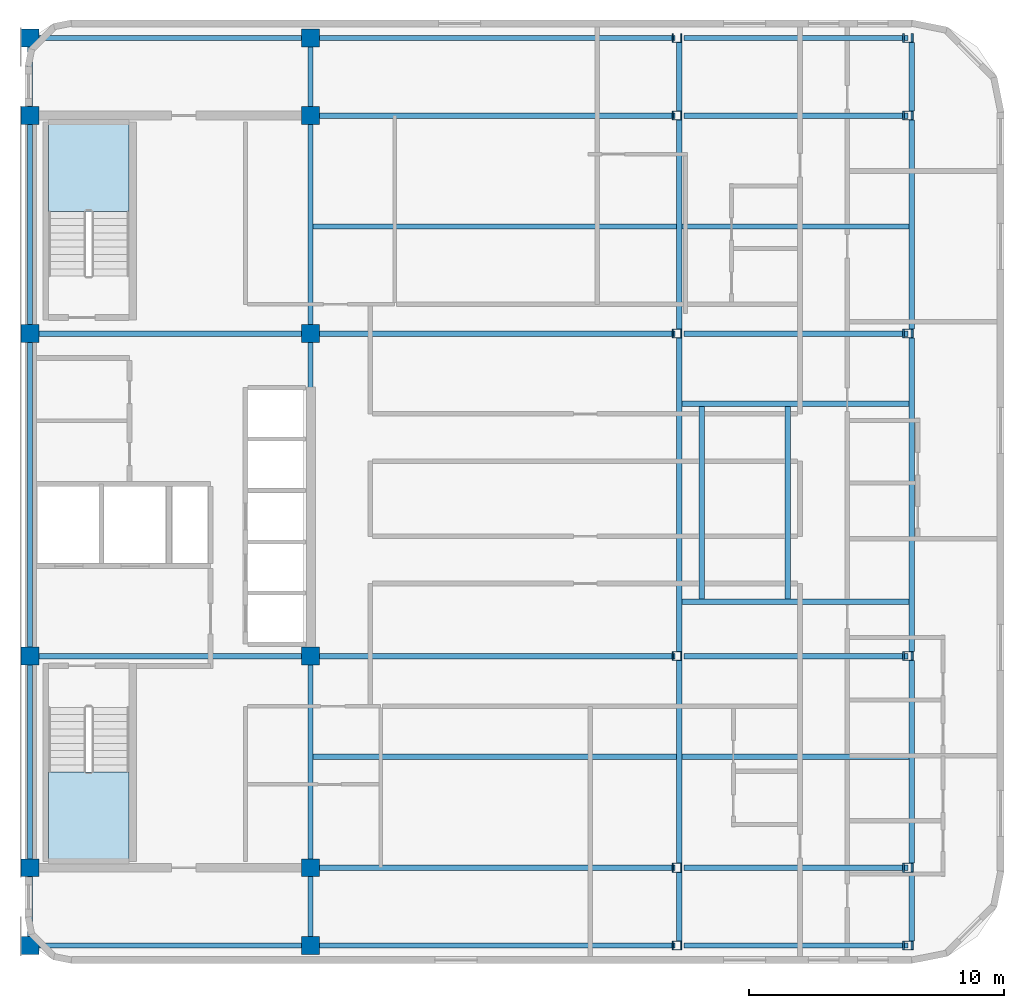
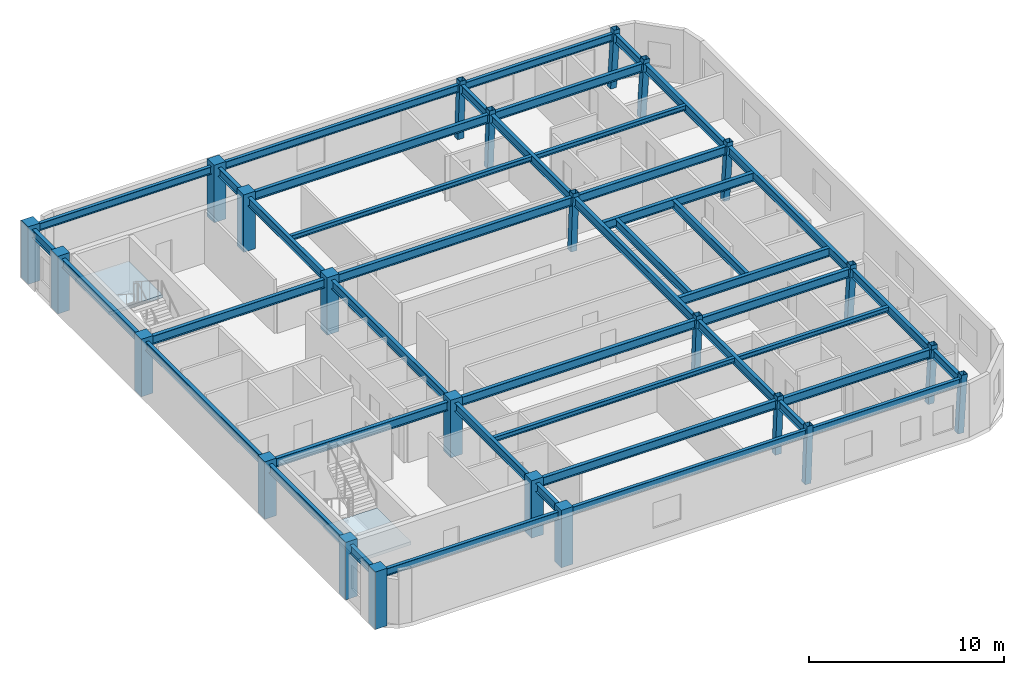
# One storey, part 1 of 6: 44 beams, 24 columns, 2 slabs, 2 elements without a shape of their own.
"""IFC4 building model written with IfcOpenShell, lengths in metres."""

from ifc_helpers import new_model, si_unit, direction, frame, origin, origin_2d, place, context, subcontext, project, spatial, polyline, rectangle, hollow_rectangle, i_section, outline, extrude, material, layer, layer_set, material_profile, profile_set, type_object, element, aggregate, save


model = new_model("IFC4")

# Units and contexts
model_context = context("Model", 3, precision=1e-05, world=origin(), true_north=direction((0.0, 1.0)))
body_context = subcontext(model_context, "Body", "Model", "MODEL_VIEW")
ifc_project = project(units=[si_unit("LENGTHUNIT", "METRE"), si_unit("AREAUNIT", "SQUARE_METRE"), si_unit("VOLUMEUNIT", "CUBIC_METRE"), si_unit("PLANEANGLEUNIT", "RADIAN"), si_unit("MASSUNIT", "GRAM", prefix="KILO")], contexts=[model_context])

# Site, building, storey
site_placement = place(None, origin())
site = spatial("IfcSite", under=ifc_project, at=site_placement, CompositionType="ELEMENT")
building_placement = place(site_placement, origin())
building = spatial("IfcBuilding", under=site, at=building_placement, Name="Ochreholt Gables", CompositionType="ELEMENT")
storey_placement = place(building_placement, frame((0.0, 0.0, 274.800048828125)))
storey = spatial("IfcBuildingStorey", under=building, at=storey_placement, Name="L72", CompositionType="ELEMENT", Elevation=274.800048828125)

# Columns
ifc_material_1 = material(Name="Steel CSA G40.21 350W", Category="steel")
ifc_material_profile_1 = material_profile(ifc_material_1, hollow_rectangle(XDim=0.35595703125, YDim=0.35595703125, WallThickness=0.01611328125, at=origin_2d()), Name="HSS356X356X16")
ifc_profile_set_1 = profile_set([ifc_material_profile_1], Name="Steel CSA G40.21 350W")
column_type_1 = type_object("IfcColumnType", Name="COL-HSS356-RAK", PredefinedType="COLUMN", material=ifc_profile_set_1)
for number, where, z_axis, x_axis, name in (
    (1, (49.553955078125, 9.25, 0.0), (0.034973505036, 0.0, 0.999388239847), (0.0, 1.0, 0.0), "L72 Column EMY2"),
    (2, (49.553955078125, 17.550048828125, 0.0), (0.034973505036, 0.0, 0.999388239847), (0.0, 1.0, 0.0), "L72 Column EMY3"),
    (3, (49.553955078125, 30.199951171875, 0.0), (0.034973505036, 0.0, 0.999388239847), (0.0, 1.0, 0.0), "L72 Column EMY4"),
    (4, (49.553955078125, 38.75, 0.0), (0.034973505036, 0.0, 0.999388239847), (0.0, 1.0, 0.0), "L72 Column EMY5"),
):
    element("IfcColumn", number, at=place(storey_placement, frame(where, z_axis=z_axis, x_axis=x_axis)), inside=storey, type_object=column_type_1, Name=name, PredefinedType="COLUMN", context=body_context, shape_type="SweptSolid", body=[
        extrude(hollow_rectangle(XDim=0.35595703125, YDim=0.35595703125, WallThickness=0.01611328125, at=origin_2d()), origin(), (0.0, 0.0, 1.0), 3.60205078125),
    ])
ifc_material_profile_2 = material_profile(ifc_material_1, hollow_rectangle(XDim=0.35595703125, YDim=0.35595703125, WallThickness=0.01611328125, at=origin_2d()), Name="HSS356X356X16")
ifc_profile_set_2 = profile_set([ifc_material_profile_2], Name="Steel CSA G40.21 350W")
column_type_2 = type_object("IfcColumnType", Name="COL-HSS356-RAKE", PredefinedType="COLUMN", material=ifc_profile_set_2)
for number, where, z_axis, x_axis, name in (
    (5, (49.553955078125, 6.199951171875, 0.0), (0.034973505036, 0.0, 0.999388239847), (0.0, 1.0, 0.0), "L72 Column EMY1"),
    (6, (49.553955078125, 41.800048828125, 0.0), (0.034973505036, 0.0, 0.999388239847), (0.0, 1.0, 0.0), "L72 Column EMY6"),
):
    element("IfcColumn", number, at=place(storey_placement, frame(where, z_axis=z_axis, x_axis=x_axis)), inside=storey, type_object=column_type_2, Name=name, PredefinedType="COLUMN", context=body_context, shape_type="SweptSolid", body=[
        extrude(hollow_rectangle(XDim=0.35595703125, YDim=0.35595703125, WallThickness=0.01611328125, at=origin_2d()), origin(), (0.0, 0.0, 1.0), 3.60205078125),
    ])
for number, where, z_axis, x_axis, name in (
    (7, (58.59521484375, 6.199951171875, 0.0), (0.057888518877, 0.0, 0.998323053617), (0.0, 1.0, 0.0), "L72 Column EEY1"),
    (8, (58.59521484375, 9.25, 0.0), (0.057888518877, 0.0, 0.998323053617), (0.0, 1.0, 0.0), "L72 Column EEY2"),
    (9, (58.59521484375, 17.550048828125, 0.0), (0.057888518877, 0.0, 0.998323053617), (0.0, 1.0, 0.0), "L72 Column EEY3"),
    (10, (58.59521484375, 30.199951171875, 0.0), (0.057888518877, 0.0, 0.998323053617), (0.0, 1.0, 0.0), "L72 Column EEY4"),
    (11, (58.59521484375, 38.75, 0.0), (0.057888518877, 0.0, 0.998323053617), (0.0, 1.0, 0.0), "L72 Column EEY5"),
    (12, (58.59521484375, 41.800048828125, 0.0), (0.057888518877, 0.0, 0.998323053617), (0.0, 1.0, 0.0), "L72 Column EEY6"),
):
    element("IfcColumn", number, at=place(storey_placement, frame(where, z_axis=z_axis, x_axis=x_axis)), inside=storey, type_object=column_type_2, Name=name, PredefinedType="COLUMN", context=body_context, shape_type="SweptSolid", body=[
        extrude(hollow_rectangle(XDim=0.35595703125, YDim=0.35595703125, WallThickness=0.01611328125, at=origin_2d()), origin(), (0.0, 0.0, 1.0), 3.60595703125),
    ])
ifc_material_2 = material(Name="Concrete 50 MPa", Category="concrete")
ifc_material_profile_3 = material_profile(ifc_material_2, rectangle(XDim=0.699951171875, YDim=0.699951171875, at=origin_2d()), Name="RC700X700")
ifc_profile_set_3 = profile_set([ifc_material_profile_3], Name="Concrete 50 MPa")
column_type_3 = type_object("IfcColumnType", Name="COL-RC700-EXT", PredefinedType="COLUMN", material=ifc_profile_set_3)
for number, where, z_axis, x_axis, name in (
    (13, (24.199951171875, 6.199951171875, 0.0), (0.0, 0.0, 1.0), (1.0, 0.0, 0.0), "L72 Column C1Y1"),
    (14, (24.199951171875, 9.25, 0.0), (0.0, 0.0, 1.0), (1.0, 0.0, 0.0), "L72 Column C1Y2"),
    (15, (24.199951171875, 17.550048828125, 0.0), (0.0, 0.0, 1.0), (1.0, 0.0, 0.0), "L72 Column C1Y3"),
    (16, (24.199951171875, 30.199951171875, 0.0), (0.0, 0.0, 1.0), (1.0, 0.0, 0.0), "L72 Column C1Y4"),
    (17, (24.199951171875, 38.75, 0.0), (0.0, 0.0, 1.0), (1.0, 0.0, 0.0), "L72 Column C1Y5"),
    (18, (24.199951171875, 41.800048828125, 0.0), (0.0, 0.0, 1.0), (1.0, 0.0, 0.0), "L72 Column C1Y6"),
    (19, (35.199951171875, 6.199951171875, 0.0), (0.0, 0.0, 1.0), (1.0, 0.0, 0.0), "L72 Column C2Y1"),
    (20, (35.199951171875, 41.800048828125, 0.0), (0.0, 0.0, 1.0), (1.0, 0.0, 0.0), "L72 Column C2Y6"),
):
    element("IfcColumn", number, at=place(storey_placement, frame(where, z_axis=z_axis, x_axis=x_axis)), inside=storey, type_object=column_type_3, Name=name, PredefinedType="COLUMN", context=body_context, shape_type="SweptSolid", body=[
        extrude(rectangle(XDim=0.699951171875, YDim=0.699951171875, at=origin_2d()), origin(), (0.0, 0.0, 1.0), 3.599853515625),
    ])
ifc_material_profile_4 = material_profile(ifc_material_2, rectangle(XDim=0.699951171875, YDim=0.699951171875, at=origin_2d()), Name="RC700X700")
ifc_profile_set_4 = profile_set([ifc_material_profile_4], Name="Concrete 50 MPa")
column_type_4 = type_object("IfcColumnType", Name="COL-RC700-INT", PredefinedType="COLUMN", material=ifc_profile_set_4)
for number, where, z_axis, x_axis, name in (
    (21, (35.199951171875, 9.25, 0.0), (0.0, 0.0, 1.0), (1.0, 0.0, 0.0), "L72 Column C2Y2"),
    (22, (35.199951171875, 17.550048828125, 0.0), (0.0, 0.0, 1.0), (1.0, 0.0, 0.0), "L72 Column C2Y3"),
    (23, (35.199951171875, 30.199951171875, 0.0), (0.0, 0.0, 1.0), (1.0, 0.0, 0.0), "L72 Column C2Y4"),
    (24, (35.199951171875, 38.75, 0.0), (0.0, 0.0, 1.0), (1.0, 0.0, 0.0), "L72 Column C2Y5"),
):
    element("IfcColumn", number, at=place(storey_placement, frame(where, z_axis=z_axis, x_axis=x_axis)), inside=storey, type_object=column_type_4, Name=name, PredefinedType="COLUMN", context=body_context, shape_type="SweptSolid", body=[
        extrude(rectangle(XDim=0.699951171875, YDim=0.699951171875, at=origin_2d()), origin(), (0.0, 0.0, 1.0), 3.599853515625),
    ])

# Beams
ifc_material_profile_5 = material_profile(ifc_material_1, i_section(OverallWidth=0.2109375, OverallDepth=0.5390625, WebThickness=0.01171875, FlangeThickness=0.018798828125, at=origin_2d()), Name="W530X109")
ifc_profile_set_5 = profile_set([ifc_material_profile_5], Name="Steel CSA G40.21 350W")
beam_type_1 = type_object("IfcBeamType", Name="BM-G-W530A", PredefinedType="BEAM", material=ifc_profile_set_5)
beam_1_placement = place(storey_placement, frame((35.549560546875, 9.25, 3.09033203125), z_axis=(1.0, 0.0, 0.0), x_axis=(0.0, 1.0, 0.0)))
element("IfcBeam", 25, at=beam_1_placement, inside=storey, type_object=beam_type_1, Name="L72 Beam TBG-L72-C2EM-Y2", PredefinedType="BEAM", context=body_context, shape_type="SweptSolid", body=[
    extrude(i_section(OverallWidth=0.2109375, OverallDepth=0.5390625, WebThickness=0.01171875, FlangeThickness=0.018798828125, at=origin_2d()), origin(), (0.0, 0.0, 1.0), 13.952880859375),
])
beam_2_placement = place(storey_placement, frame((49.857666015625, 9.25, 3.09033203125), z_axis=(1.0, 0.0, 0.0), x_axis=(0.0, 1.0, 0.0)))
element("IfcBeam", 26, at=beam_2_placement, inside=storey, type_object=beam_type_1, Name="L72 Beam TBG-L72-EMEE-Y2", PredefinedType="BEAM", context=body_context, shape_type="SweptSolid", body=[
    extrude(i_section(OverallWidth=0.2109375, OverallDepth=0.5390625, WebThickness=0.01171875, FlangeThickness=0.018798828125, at=origin_2d()), origin(), (0.0, 0.0, 1.0), 8.768798828125),
])
beam_3_placement = place(storey_placement, frame((24.549560546875, 17.550048828125, 3.09033203125), z_axis=(1.0, 0.0, 0.0), x_axis=(0.0, 1.0, 0.0)))
element("IfcBeam", 27, at=beam_3_placement, inside=storey, type_object=beam_type_1, Name="L72 Beam TBG-L72-C1C2-Y3", PredefinedType="BEAM", context=body_context, shape_type="SweptSolid", body=[
    extrude(i_section(OverallWidth=0.2109375, OverallDepth=0.5390625, WebThickness=0.01171875, FlangeThickness=0.018798828125, at=origin_2d()), origin(), (0.0, 0.0, 1.0), 10.30078125),
])
beam_4_placement = place(storey_placement, frame((35.549560546875, 17.550048828125, 3.09033203125), z_axis=(1.0, 0.0, 0.0), x_axis=(0.0, 1.0, 0.0)))
element("IfcBeam", 28, at=beam_4_placement, inside=storey, type_object=beam_type_1, Name="L72 Beam TBG-L72-C2EM-Y3", PredefinedType="BEAM", context=body_context, shape_type="SweptSolid", body=[
    extrude(i_section(OverallWidth=0.2109375, OverallDepth=0.5390625, WebThickness=0.01171875, FlangeThickness=0.018798828125, at=origin_2d()), origin(), (0.0, 0.0, 1.0), 13.952880859375),
])
beam_5_placement = place(storey_placement, frame((49.857666015625, 17.550048828125, 3.09033203125), z_axis=(1.0, 0.0, 0.0), x_axis=(0.0, 1.0, 0.0)))
element("IfcBeam", 29, at=beam_5_placement, inside=storey, type_object=beam_type_1, Name="L72 Beam TBG-L72-EMEE-Y3", PredefinedType="BEAM", context=body_context, shape_type="SweptSolid", body=[
    extrude(i_section(OverallWidth=0.2109375, OverallDepth=0.5390625, WebThickness=0.01171875, FlangeThickness=0.018798828125, at=origin_2d()), origin(), (0.0, 0.0, 1.0), 8.768798828125),
])
beam_6_placement = place(storey_placement, frame((24.549560546875, 30.199951171875, 3.09033203125), z_axis=(1.0, 0.0, 0.0), x_axis=(0.0, 1.0, 0.0)))
element("IfcBeam", 30, at=beam_6_placement, inside=storey, type_object=beam_type_1, Name="L72 Beam TBG-L72-C1C2-Y4", PredefinedType="BEAM", context=body_context, shape_type="SweptSolid", body=[
    extrude(i_section(OverallWidth=0.2109375, OverallDepth=0.5390625, WebThickness=0.01171875, FlangeThickness=0.018798828125, at=origin_2d()), origin(), (0.0, 0.0, 1.0), 10.30078125),
])
beam_7_placement = place(storey_placement, frame((35.549560546875, 30.199951171875, 3.09033203125), z_axis=(1.0, 0.0, 0.0), x_axis=(0.0, 1.0, 0.0)))
element("IfcBeam", 31, at=beam_7_placement, inside=storey, type_object=beam_type_1, Name="L72 Beam TBG-L72-C2EM-Y4", PredefinedType="BEAM", context=body_context, shape_type="SweptSolid", body=[
    extrude(i_section(OverallWidth=0.2109375, OverallDepth=0.5390625, WebThickness=0.01171875, FlangeThickness=0.018798828125, at=origin_2d()), origin(), (0.0, 0.0, 1.0), 13.952880859375),
])
beam_8_placement = place(storey_placement, frame((49.857666015625, 30.199951171875, 3.09033203125), z_axis=(1.0, 0.0, 0.0), x_axis=(0.0, 1.0, 0.0)))
element("IfcBeam", 32, at=beam_8_placement, inside=storey, type_object=beam_type_1, Name="L72 Beam TBG-L72-EMEE-Y4", PredefinedType="BEAM", context=body_context, shape_type="SweptSolid", body=[
    extrude(i_section(OverallWidth=0.2109375, OverallDepth=0.5390625, WebThickness=0.01171875, FlangeThickness=0.018798828125, at=origin_2d()), origin(), (0.0, 0.0, 1.0), 8.768798828125),
])
beam_9_placement = place(storey_placement, frame((35.549560546875, 38.75, 3.09033203125), z_axis=(1.0, 0.0, 0.0), x_axis=(0.0, 1.0, 0.0)))
element("IfcBeam", 33, at=beam_9_placement, inside=storey, type_object=beam_type_1, Name="L72 Beam TBG-L72-C2EM-Y5", PredefinedType="BEAM", context=body_context, shape_type="SweptSolid", body=[
    extrude(i_section(OverallWidth=0.2109375, OverallDepth=0.5390625, WebThickness=0.01171875, FlangeThickness=0.018798828125, at=origin_2d()), origin(), (0.0, 0.0, 1.0), 13.952880859375),
])
beam_10_placement = place(storey_placement, frame((49.857666015625, 38.75, 3.09033203125), z_axis=(1.0, 0.0, 0.0), x_axis=(0.0, 1.0, 0.0)))
element("IfcBeam", 34, at=beam_10_placement, inside=storey, type_object=beam_type_1, Name="L72 Beam TBG-L72-EMEE-Y5", PredefinedType="BEAM", context=body_context, shape_type="SweptSolid", body=[
    extrude(i_section(OverallWidth=0.2109375, OverallDepth=0.5390625, WebThickness=0.01171875, FlangeThickness=0.018798828125, at=origin_2d()), origin(), (0.0, 0.0, 1.0), 8.768798828125),
])
beam_11_placement = place(storey_placement, frame((24.199951171875, 6.549560546875, 3.09033203125), z_axis=(0.0, 1.0, 0.0), x_axis=(-1.0, 0.0, 0.0)))
element("IfcBeam", 35, at=beam_11_placement, inside=storey, type_object=beam_type_1, Name="L72 Beam TBN-L72-C1-Y1Y2", PredefinedType="BEAM", context=body_context, shape_type="SweptSolid", body=[
    extrude(i_section(OverallWidth=0.2109375, OverallDepth=0.5390625, WebThickness=0.01171875, FlangeThickness=0.018798828125, at=origin_2d()), origin(), (0.0, 0.0, 1.0), 2.350830078125),
])
beam_12_placement = place(storey_placement, frame((24.199951171875, 9.599609375, 3.09033203125), z_axis=(0.0, 1.0, 0.0), x_axis=(-1.0, 0.0, 0.0)))
element("IfcBeam", 36, at=beam_12_placement, inside=storey, type_object=beam_type_1, Name="L72 Beam TBN-L72-C1-Y2Y3", PredefinedType="BEAM", context=body_context, shape_type="SweptSolid", body=[
    extrude(i_section(OverallWidth=0.2109375, OverallDepth=0.5390625, WebThickness=0.01171875, FlangeThickness=0.018798828125, at=origin_2d()), origin(), (0.0, 0.0, 1.0), 7.600830078125),
])
beam_13_placement = place(storey_placement, frame((24.199951171875, 17.899658203125, 3.09033203125), z_axis=(0.0, 1.0, 0.0), x_axis=(-1.0, 0.0, 0.0)))
element("IfcBeam", 37, at=beam_13_placement, inside=storey, type_object=beam_type_1, Name="L72 Beam TBN-L72-C1-Y3Y4", PredefinedType="BEAM", context=body_context, shape_type="SweptSolid", body=[
    extrude(i_section(OverallWidth=0.2109375, OverallDepth=0.5390625, WebThickness=0.01171875, FlangeThickness=0.018798828125, at=origin_2d()), origin(), (0.0, 0.0, 1.0), 11.95068359375),
])
beam_14_placement = place(storey_placement, frame((24.199951171875, 30.549560546875, 3.09033203125), z_axis=(0.0, 1.0, 0.0), x_axis=(-1.0, 0.0, 0.0)))
element("IfcBeam", 38, at=beam_14_placement, inside=storey, type_object=beam_type_1, Name="L72 Beam TBN-L72-C1-Y4Y5", PredefinedType="BEAM", context=body_context, shape_type="SweptSolid", body=[
    extrude(i_section(OverallWidth=0.2109375, OverallDepth=0.5390625, WebThickness=0.01171875, FlangeThickness=0.018798828125, at=origin_2d()), origin(), (0.0, 0.0, 1.0), 7.850830078125),
])
for number, where, z_axis, x_axis, name in (
    (39, (24.199951171875, 39.099609375, 3.09033203125), (0.0, 1.0, 0.0), (-1.0, 0.0, 0.0), "L72 Beam TBN-L72-C1-Y5Y6"),
    (40, (35.199951171875, 6.549560546875, 3.09033203125), (0.0, 1.0, 0.0), (-1.0, 0.0, 0.0), "L72 Beam TBN-L72-C2-Y1Y2"),
):
    element("IfcBeam", number, at=place(storey_placement, frame(where, z_axis=z_axis, x_axis=x_axis)), inside=storey, type_object=beam_type_1, Name=name, PredefinedType="BEAM", context=body_context, shape_type="SweptSolid", body=[
        extrude(i_section(OverallWidth=0.2109375, OverallDepth=0.5390625, WebThickness=0.01171875, FlangeThickness=0.018798828125, at=origin_2d()), origin(), (0.0, 0.0, 1.0), 2.350830078125),
    ])
beam_15_placement = place(storey_placement, frame((35.199951171875, 9.599609375, 3.09033203125), z_axis=(0.0, 1.0, 0.0), x_axis=(-1.0, 0.0, 0.0)))
element("IfcBeam", 41, at=beam_15_placement, inside=storey, type_object=beam_type_1, Name="L72 Beam TBN-L72-C2-Y2Y3", PredefinedType="BEAM", context=body_context, shape_type="SweptSolid", body=[
    extrude(i_section(OverallWidth=0.2109375, OverallDepth=0.5390625, WebThickness=0.01171875, FlangeThickness=0.018798828125, at=origin_2d()), origin(), (0.0, 0.0, 1.0), 7.600830078125),
])
beam_16_placement = place(storey_placement, frame((35.199951171875, 17.899658203125, 3.09033203125), z_axis=(0.0, 1.0, 0.0), x_axis=(-1.0, 0.0, 0.0)))
element("IfcBeam", 42, at=beam_16_placement, inside=storey, type_object=beam_type_1, Name="L72 Beam TBN-L72-C2-Y3Y4", PredefinedType="BEAM", context=body_context, shape_type="SweptSolid", body=[
    extrude(i_section(OverallWidth=0.2109375, OverallDepth=0.5390625, WebThickness=0.01171875, FlangeThickness=0.018798828125, at=origin_2d()), origin(), (0.0, 0.0, 1.0), 11.95068359375),
])
beam_17_placement = place(storey_placement, frame((35.199951171875, 30.549560546875, 3.09033203125), z_axis=(0.0, 1.0, 0.0), x_axis=(-1.0, 0.0, 0.0)))
element("IfcBeam", 43, at=beam_17_placement, inside=storey, type_object=beam_type_1, Name="L72 Beam TBN-L72-C2-Y4Y5", PredefinedType="BEAM", context=body_context, shape_type="SweptSolid", body=[
    extrude(i_section(OverallWidth=0.2109375, OverallDepth=0.5390625, WebThickness=0.01171875, FlangeThickness=0.018798828125, at=origin_2d()), origin(), (0.0, 0.0, 1.0), 7.850830078125),
])
beam_18_placement = place(storey_placement, frame((35.199951171875, 39.099609375, 3.09033203125), z_axis=(0.0, 1.0, 0.0), x_axis=(-1.0, 0.0, 0.0)))
element("IfcBeam", 44, at=beam_18_placement, inside=storey, type_object=beam_type_1, Name="L72 Beam TBN-L72-C2-Y5Y6", PredefinedType="BEAM", context=body_context, shape_type="SweptSolid", body=[
    extrude(i_section(OverallWidth=0.2109375, OverallDepth=0.5390625, WebThickness=0.01171875, FlangeThickness=0.018798828125, at=origin_2d()), origin(), (0.0, 0.0, 1.0), 2.350830078125),
])
beam_19_placement = place(storey_placement, frame((49.662841796875, 6.377685546875, 3.09033203125), z_axis=(0.0, 1.0, 0.0), x_axis=(-1.0, 0.0, 0.0)))
element("IfcBeam", 45, at=beam_19_placement, inside=storey, type_object=beam_type_1, Name="L72 Beam TBN-L72-EM-Y1Y2", PredefinedType="BEAM", context=body_context, shape_type="SweptSolid", body=[
    extrude(i_section(OverallWidth=0.2109375, OverallDepth=0.5390625, WebThickness=0.01171875, FlangeThickness=0.018798828125, at=origin_2d()), origin(), (0.0, 0.0, 1.0), 2.69482421875),
])
beam_20_placement = place(storey_placement, frame((49.662841796875, 9.427490234375, 3.09033203125), z_axis=(0.0, 1.0, 0.0), x_axis=(-1.0, 0.0, 0.0)))
element("IfcBeam", 46, at=beam_20_placement, inside=storey, type_object=beam_type_1, Name="L72 Beam TBN-L72-EM-Y2Y3", PredefinedType="BEAM", context=body_context, shape_type="SweptSolid", body=[
    extrude(i_section(OverallWidth=0.2109375, OverallDepth=0.5390625, WebThickness=0.01171875, FlangeThickness=0.018798828125, at=origin_2d()), origin(), (0.0, 0.0, 1.0), 7.94482421875),
])
beam_21_placement = place(storey_placement, frame((49.662841796875, 17.7275390625, 3.09033203125), z_axis=(0.0, 1.0, 0.0), x_axis=(-1.0, 0.0, 0.0)))
element("IfcBeam", 47, at=beam_21_placement, inside=storey, type_object=beam_type_1, Name="L72 Beam TBN-L72-EM-Y3Y4", PredefinedType="BEAM", context=body_context, shape_type="SweptSolid", body=[
    extrude(i_section(OverallWidth=0.2109375, OverallDepth=0.5390625, WebThickness=0.01171875, FlangeThickness=0.018798828125, at=origin_2d()), origin(), (0.0, 0.0, 1.0), 12.294921875),
])
beam_22_placement = place(storey_placement, frame((49.662841796875, 30.377685546875, 3.09033203125), z_axis=(0.0, 1.0, 0.0), x_axis=(-1.0, 0.0, 0.0)))
element("IfcBeam", 48, at=beam_22_placement, inside=storey, type_object=beam_type_1, Name="L72 Beam TBN-L72-EM-Y4Y5", PredefinedType="BEAM", context=body_context, shape_type="SweptSolid", body=[
    extrude(i_section(OverallWidth=0.2109375, OverallDepth=0.5390625, WebThickness=0.01171875, FlangeThickness=0.018798828125, at=origin_2d()), origin(), (0.0, 0.0, 1.0), 8.19482421875),
])
for number, where, z_axis, x_axis, name in (
    (49, (49.662841796875, 38.927490234375, 3.09033203125), (0.0, 1.0, 0.0), (-1.0, 0.0, 0.0), "L72 Beam TBN-L72-EM-Y5Y6"),
    (50, (58.775634765625, 6.377685546875, 3.09033203125), (0.0, 1.0, 0.0), (-1.0, 0.0, 0.0), "L72 Beam TBN-L72-EE-Y1Y2"),
):
    element("IfcBeam", number, at=place(storey_placement, frame(where, z_axis=z_axis, x_axis=x_axis)), inside=storey, type_object=beam_type_1, Name=name, PredefinedType="BEAM", context=body_context, shape_type="SweptSolid", body=[
        extrude(i_section(OverallWidth=0.2109375, OverallDepth=0.5390625, WebThickness=0.01171875, FlangeThickness=0.018798828125, at=origin_2d()), origin(), (0.0, 0.0, 1.0), 2.69482421875),
    ])
beam_23_placement = place(storey_placement, frame((58.775634765625, 9.427490234375, 3.09033203125), z_axis=(0.0, 1.0, 0.0), x_axis=(-1.0, 0.0, 0.0)))
element("IfcBeam", 51, at=beam_23_placement, inside=storey, type_object=beam_type_1, Name="L72 Beam TBN-L72-EE-Y2Y3", PredefinedType="BEAM", context=body_context, shape_type="SweptSolid", body=[
    extrude(i_section(OverallWidth=0.2109375, OverallDepth=0.5390625, WebThickness=0.01171875, FlangeThickness=0.018798828125, at=origin_2d()), origin(), (0.0, 0.0, 1.0), 7.94482421875),
])
beam_24_placement = place(storey_placement, frame((58.775634765625, 17.7275390625, 3.09033203125), z_axis=(0.0, 1.0, 0.0), x_axis=(-1.0, 0.0, 0.0)))
element("IfcBeam", 52, at=beam_24_placement, inside=storey, type_object=beam_type_1, Name="L72 Beam TBN-L72-EE-Y3Y4", PredefinedType="BEAM", context=body_context, shape_type="SweptSolid", body=[
    extrude(i_section(OverallWidth=0.2109375, OverallDepth=0.5390625, WebThickness=0.01171875, FlangeThickness=0.018798828125, at=origin_2d()), origin(), (0.0, 0.0, 1.0), 12.294921875),
])
beam_25_placement = place(storey_placement, frame((58.775634765625, 30.377685546875, 3.09033203125), z_axis=(0.0, 1.0, 0.0), x_axis=(-1.0, 0.0, 0.0)))
element("IfcBeam", 53, at=beam_25_placement, inside=storey, type_object=beam_type_1, Name="L72 Beam TBN-L72-EE-Y4Y5", PredefinedType="BEAM", context=body_context, shape_type="SweptSolid", body=[
    extrude(i_section(OverallWidth=0.2109375, OverallDepth=0.5390625, WebThickness=0.01171875, FlangeThickness=0.018798828125, at=origin_2d()), origin(), (0.0, 0.0, 1.0), 8.19482421875),
])
beam_26_placement = place(storey_placement, frame((58.775634765625, 38.927490234375, 3.09033203125), z_axis=(0.0, 1.0, 0.0), x_axis=(-1.0, 0.0, 0.0)))
element("IfcBeam", 54, at=beam_26_placement, inside=storey, type_object=beam_type_1, Name="L72 Beam TBN-L72-EE-Y5Y6", PredefinedType="BEAM", context=body_context, shape_type="SweptSolid", body=[
    extrude(i_section(OverallWidth=0.2109375, OverallDepth=0.5390625, WebThickness=0.01171875, FlangeThickness=0.018798828125, at=origin_2d()), origin(), (0.0, 0.0, 1.0), 2.69482421875),
])
for number, where, z_axis, x_axis, name in (
    (55, (49.767822265625, 19.68994140625, 3.09033203125), (1.0, 0.0, 0.0), (0.0, 1.0, 0.0), "L72 Beam TBH-L72-ST-C7-FSTLS"),
    (56, (49.767822265625, 27.449951171875, 3.09033203125), (1.0, 0.0, 0.0), (0.0, 1.0, 0.0), "L72 Beam TBH-L72-ST-C7-FSTLN"),
):
    element("IfcBeam", number, at=place(storey_placement, frame(where, z_axis=z_axis, x_axis=x_axis)), inside=storey, type_object=beam_type_1, Name=name, PredefinedType="BEAM", context=body_context, shape_type="SweptSolid", body=[
        extrude(i_section(OverallWidth=0.2109375, OverallDepth=0.5390625, WebThickness=0.01171875, FlangeThickness=0.018798828125, at=origin_2d()), origin(), (0.0, 0.0, 1.0), 8.902587890625),
    ])
for number, where, z_axis, x_axis, name in (
    (57, (50.5400390625, 19.795166015625, 3.09033203125), (0.0, 1.0, 0.0), (-1.0, 0.0, 0.0), "L72 Beam TBT-L72-ST-C7-FSTLW"),
    (58, (53.919921875, 19.795166015625, 3.09033203125), (0.0, 1.0, 0.0), (-1.0, 0.0, 0.0), "L72 Beam TBT-L72-ST-C7-FSTLE"),
):
    element("IfcBeam", number, at=place(storey_placement, frame(where, z_axis=z_axis, x_axis=x_axis)), inside=storey, type_object=beam_type_1, Name=name, PredefinedType="BEAM", context=body_context, shape_type="SweptSolid", body=[
        extrude(i_section(OverallWidth=0.2109375, OverallDepth=0.5390625, WebThickness=0.01171875, FlangeThickness=0.018798828125, at=origin_2d()), origin(), (0.0, 0.0, 1.0), 7.5498046875),
    ])
ifc_material_profile_6 = material_profile(ifc_material_1, i_section(OverallWidth=0.202880859375, OverallDepth=0.302978515625, WebThickness=0.007568359375, FlangeThickness=0.01318359375, at=origin_2d()), Name="W310X60")
ifc_profile_set_6 = profile_set([ifc_material_profile_6], Name="Steel CSA G40.21 350W")
beam_type_2 = type_object("IfcBeamType", Name="BM-J-W310", PredefinedType="JOIST", material=ifc_profile_set_6)
beam_27_placement = place(storey_placement, frame((35.30517578125, 13.60009765625, 3.20849609375), z_axis=(1.0, 0.0, 0.0), x_axis=(0.0, 1.0, 0.0)))
element("IfcBeam", 59, at=beam_27_placement, inside=storey, type_object=beam_type_2, Name="L72 Beam TBJ-L72-J1-C2EM", PredefinedType="JOIST", context=body_context, shape_type="SweptSolid", body=[
    extrude(i_section(OverallWidth=0.202880859375, OverallDepth=0.302978515625, WebThickness=0.007568359375, FlangeThickness=0.01318359375, at=origin_2d()), origin(), (0.0, 0.0, 1.0), 14.25244140625),
])
beam_28_placement = place(storey_placement, frame((49.767822265625, 13.60009765625, 3.20849609375), z_axis=(1.0, 0.0, 0.0), x_axis=(0.0, 1.0, 0.0)))
element("IfcBeam", 60, at=beam_28_placement, inside=storey, type_object=beam_type_2, Name="L72 Beam TBJ-L72-J1-EMEE", PredefinedType="JOIST", context=body_context, shape_type="SweptSolid", body=[
    extrude(i_section(OverallWidth=0.202880859375, OverallDepth=0.302978515625, WebThickness=0.007568359375, FlangeThickness=0.01318359375, at=origin_2d()), origin(), (0.0, 0.0, 1.0), 8.902587890625),
])
beam_29_placement = place(storey_placement, frame((35.30517578125, 34.39990234375, 3.20849609375), z_axis=(1.0, 0.0, 0.0), x_axis=(0.0, 1.0, 0.0)))
element("IfcBeam", 61, at=beam_29_placement, inside=storey, type_object=beam_type_2, Name="L72 Beam TBJ-L72-J2-C2EM", PredefinedType="JOIST", context=body_context, shape_type="SweptSolid", body=[
    extrude(i_section(OverallWidth=0.202880859375, OverallDepth=0.302978515625, WebThickness=0.007568359375, FlangeThickness=0.01318359375, at=origin_2d()), origin(), (0.0, 0.0, 1.0), 14.25244140625),
])
beam_30_placement = place(storey_placement, frame((49.767822265625, 34.39990234375, 3.20849609375), z_axis=(1.0, 0.0, 0.0), x_axis=(0.0, 1.0, 0.0)))
element("IfcBeam", 62, at=beam_30_placement, inside=storey, type_object=beam_type_2, Name="L72 Beam TBJ-L72-J2-EMEE", PredefinedType="JOIST", context=body_context, shape_type="SweptSolid", body=[
    extrude(i_section(OverallWidth=0.202880859375, OverallDepth=0.302978515625, WebThickness=0.007568359375, FlangeThickness=0.01318359375, at=origin_2d()), origin(), (0.0, 0.0, 1.0), 8.902587890625),
])
ifc_material_profile_7 = material_profile(ifc_material_1, i_section(OverallWidth=0.19189453125, OverallDepth=0.462890625, WebThickness=0.010498046875, FlangeThickness=0.017578125, at=origin_2d()), Name="W460X89")
ifc_profile_set_7 = profile_set([ifc_material_profile_7], Name="Steel CSA G40.21 350W")
beam_type_3 = type_object("IfcBeamType", Name="BM-SP-W460A", PredefinedType="SPANDREL", material=ifc_profile_set_7)
beam_31_placement = place(storey_placement, frame((24.549560546875, 6.199951171875, 3.12841796875), z_axis=(1.0, 0.0, 0.0), x_axis=(0.0, 1.0, 0.0)))
element("IfcBeam", 63, at=beam_31_placement, inside=storey, type_object=beam_type_3, Name="L72 Beam TBG-L72-C1C2-Y1", PredefinedType="SPANDREL", context=body_context, shape_type="SweptSolid", body=[
    extrude(i_section(OverallWidth=0.19189453125, OverallDepth=0.462890625, WebThickness=0.010498046875, FlangeThickness=0.017578125, at=origin_2d()), origin(), (0.0, 0.0, 1.0), 10.30078125),
])
beam_32_placement = place(storey_placement, frame((35.549560546875, 6.199951171875, 3.12841796875), z_axis=(1.0, 0.0, 0.0), x_axis=(0.0, 1.0, 0.0)))
element("IfcBeam", 64, at=beam_32_placement, inside=storey, type_object=beam_type_3, Name="L72 Beam TBG-L72-C2EM-Y1", PredefinedType="SPANDREL", context=body_context, shape_type="SweptSolid", body=[
    extrude(i_section(OverallWidth=0.19189453125, OverallDepth=0.462890625, WebThickness=0.010498046875, FlangeThickness=0.017578125, at=origin_2d()), origin(), (0.0, 0.0, 1.0), 13.952880859375),
])
beam_33_placement = place(storey_placement, frame((49.857666015625, 6.199951171875, 3.12841796875), z_axis=(1.0, 0.0, 0.0), x_axis=(0.0, 1.0, 0.0)))
element("IfcBeam", 65, at=beam_33_placement, inside=storey, type_object=beam_type_3, Name="L72 Beam TBG-L72-EMEE-Y1", PredefinedType="SPANDREL", context=body_context, shape_type="SweptSolid", body=[
    extrude(i_section(OverallWidth=0.19189453125, OverallDepth=0.462890625, WebThickness=0.010498046875, FlangeThickness=0.017578125, at=origin_2d()), origin(), (0.0, 0.0, 1.0), 8.768798828125),
])
beam_34_placement = place(storey_placement, frame((24.549560546875, 41.800048828125, 3.12841796875), z_axis=(1.0, 0.0, 0.0), x_axis=(0.0, 1.0, 0.0)))
element("IfcBeam", 66, at=beam_34_placement, inside=storey, type_object=beam_type_3, Name="L72 Beam TBG-L72-C1C2-Y6", PredefinedType="SPANDREL", context=body_context, shape_type="SweptSolid", body=[
    extrude(i_section(OverallWidth=0.19189453125, OverallDepth=0.462890625, WebThickness=0.010498046875, FlangeThickness=0.017578125, at=origin_2d()), origin(), (0.0, 0.0, 1.0), 10.30078125),
])
beam_35_placement = place(storey_placement, frame((35.549560546875, 41.800048828125, 3.12841796875), z_axis=(1.0, 0.0, 0.0), x_axis=(0.0, 1.0, 0.0)))
element("IfcBeam", 67, at=beam_35_placement, inside=storey, type_object=beam_type_3, Name="L72 Beam TBG-L72-C2EM-Y6", PredefinedType="SPANDREL", context=body_context, shape_type="SweptSolid", body=[
    extrude(i_section(OverallWidth=0.19189453125, OverallDepth=0.462890625, WebThickness=0.010498046875, FlangeThickness=0.017578125, at=origin_2d()), origin(), (0.0, 0.0, 1.0), 13.952880859375),
])
beam_36_placement = place(storey_placement, frame((49.857666015625, 41.800048828125, 3.12841796875), z_axis=(1.0, 0.0, 0.0), x_axis=(0.0, 1.0, 0.0)))
element("IfcBeam", 68, at=beam_36_placement, inside=storey, type_object=beam_type_3, Name="L72 Beam TBG-L72-EMEE-Y6", PredefinedType="SPANDREL", context=body_context, shape_type="SweptSolid", body=[
    extrude(i_section(OverallWidth=0.19189453125, OverallDepth=0.462890625, WebThickness=0.010498046875, FlangeThickness=0.017578125, at=origin_2d()), origin(), (0.0, 0.0, 1.0), 8.768798828125),
])

# Stair, slab
ifc_material_3 = material(Name="Concrete 40 MPa", Category="concrete")
stair_type_1 = type_object("IfcStairType", Name="STAIR-CORE-ST-1", PredefinedType="HALF_TURN_STAIR", material=ifc_material_3)
stair_1_placement = place(storey_placement, origin())
stair_1 = element("IfcStair", 69, at=stair_1_placement, inside=storey, type_object=stair_type_1, Name="L72 Core Exit Stair 1", PredefinedType="HALF_TURN_STAIR")
ifc_layer = layer(ifc_material_3, 0.199951171875, Name="Concrete 40 MPa")
ifc_layer_set = layer_set([ifc_layer], Name="Concrete 40 MPa")
slab_type = type_object("IfcSlabType", Name="LANDING-RC200", PredefinedType="LANDING", material=ifc_layer_set)
slab_1_placement = place(storey_placement, frame((0.0, 0.0, 1.599853515625)))
slab_1 = element("IfcSlab", 70, at=slab_1_placement, type_object=slab_type, Name="ST-1 landing 1", PredefinedType="LANDING", context=body_context, shape_type="SweptSolid", body=[
    extrude(outline(polyline([(24.919921875, 13.001953125), (24.919921875, 9.52001953125), (28.080078125, 9.52001953125), (28.080078125, 13.001953125), (24.919921875, 13.001953125)])), origin(), (0.0, 0.0, 1.0), 0.2001953125),
])
aggregate(stair_1, [slab_1])

stair_type_2 = type_object("IfcStairType", Name="STAIR-CORE-ST-2", PredefinedType="HALF_TURN_STAIR", material=ifc_material_3)
stair_2_placement = place(storey_placement, origin())
stair_2 = element("IfcStair", 71, at=stair_2_placement, inside=storey, type_object=stair_type_2, Name="L72 Core Exit Stair 2", PredefinedType="HALF_TURN_STAIR")
slab_2_placement = place(storey_placement, frame((0.0, 0.0, 1.599853515625)))
slab_2 = element("IfcSlab", 72, at=slab_2_placement, type_object=slab_type, Name="ST-2 landing 1", PredefinedType="LANDING", context=body_context, shape_type="SweptSolid", body=[
    extrude(outline(polyline([(28.080078125, 34.998046875), (28.080078125, 38.47998046875), (24.919921875, 38.47998046875), (24.919921875, 34.998046875), (28.080078125, 34.998046875)])), origin(), (0.0, 0.0, 1.0), 0.2001953125),
])
aggregate(stair_2, [slab_2])

save(model, "model.ifc")
